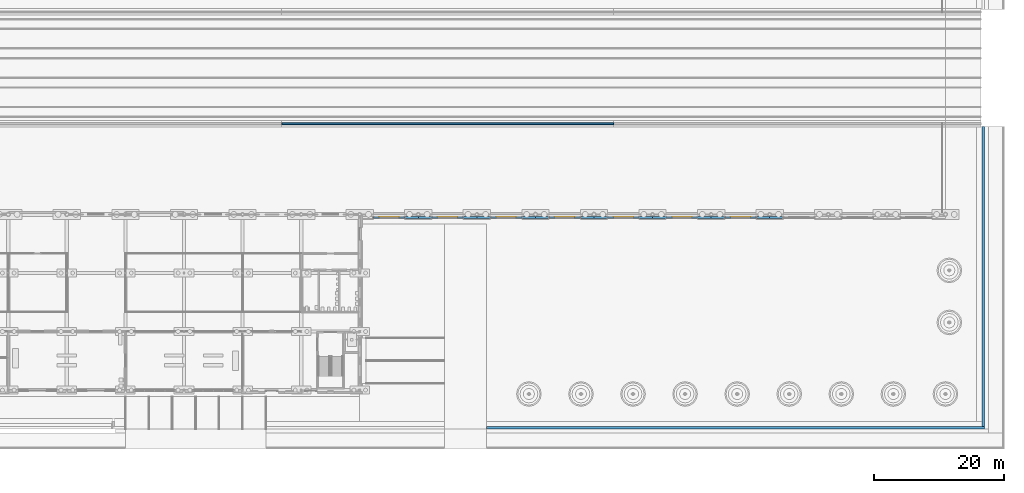
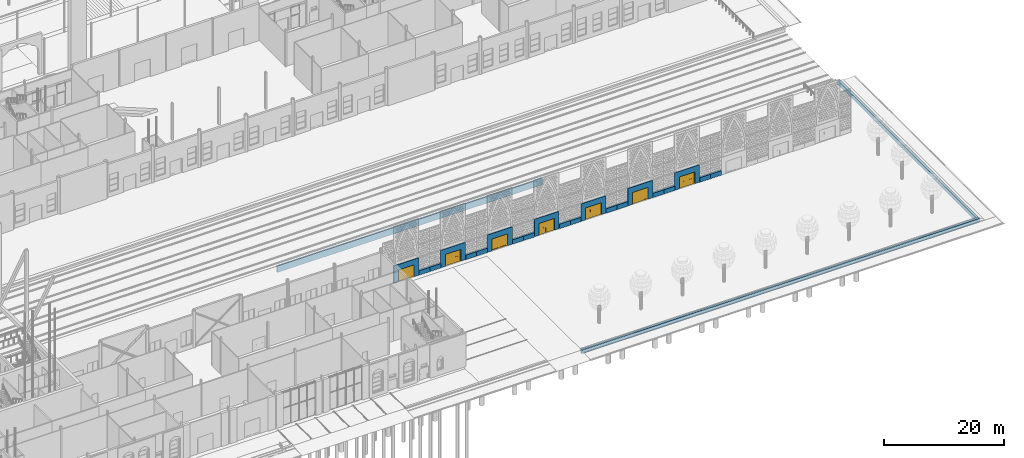
# One storey, part 121 of 250: 24 walls, 7 doors, 7 openings.
"""IFC4 building model written with IfcOpenShell, lengths in metres."""

from ifc_helpers import new_model, si_unit, direction, frame, frame_2d, origin, place, context, subcontext, project, spatial, polyline, rectangle, outline, extrude, material, layer, layer_set, type_object, element, fill, save


model = new_model("IFC4")

# Units and contexts
model_context = context("Model", 3, precision=1e-05, world=origin(), true_north=direction((0.0, 1.0)))
body_context = subcontext(model_context, "Body", "Model", "MODEL_VIEW")
ifc_project = project(units=[si_unit("LENGTHUNIT", "METRE"), si_unit("AREAUNIT", "SQUARE_METRE"), si_unit("VOLUMEUNIT", "CUBIC_METRE"), si_unit("PLANEANGLEUNIT", "RADIAN"), si_unit("MASSUNIT", "GRAM", prefix="KILO")], contexts=[model_context])

# Site, building, storey
site_placement = place(None, origin())
site = spatial("IfcSite", under=ifc_project, at=site_placement, CompositionType="ELEMENT")
building_placement = place(site_placement, origin())
building = spatial("IfcBuilding", under=site, at=building_placement, Name="Baradari Gate Terminus", CompositionType="ELEMENT")
storey_placement = place(building_placement, origin())
storey = spatial("IfcBuildingStorey", under=building, at=storey_placement, Name="L00", CompositionType="ELEMENT", Elevation=0.0)

# Wall, opening, door
ifc_material_1 = material(Name="Steel S355", Category="steel")
ifc_layer_1 = layer(ifc_material_1, 0.25)
ifc_layer_set_1 = layer_set([ifc_layer_1], Name="Steel S355")
wall_type_1 = type_object("IfcWallType", Name="Gate frame wall WG-2 250", PredefinedType="SOLIDWALL", material=ifc_layer_set_1)
wall_1_placement = place(storey_placement, frame((155.10009765625, 35.52001953125, 0.0), z_axis=(0.0, 0.0, 1.0), x_axis=(1.0, 0.0, 0.0)))
wall_1 = element("IfcWall", 1, at=wall_1_placement, inside=storey, type_object=wall_type_1, Name="Gate frame wall SC bay 1", PredefinedType="SOLIDWALL", context=body_context, shape_type="SweptSolid", body=[
    extrude(rectangle(XDim=4.7998046875, YDim=0.25, at=frame_2d((2.39990234375, 0.0))), origin(), (0.0, 0.0, 1.0), 3.52490234375),
])
opening_1_placement = place(wall_1_placement, frame((0.89990234375, 0.0, 0.0)))
opening_1 = element("IfcOpeningElement", 2, at=opening_1_placement, cuts=wall_1, Name="Opening D00-058", PredefinedType="OPENING", context=body_context, shape_type="SweptSolid", body=[
    extrude(rectangle(XDim=3.0, YDim=2.39990234375, at=frame_2d((1.5, 1.199951171875))), frame((0.0, 0.135009765625, 0.0), z_axis=(0.0, -1.0, 0.0), x_axis=(1.0, 0.0, 0.0)), (0.0, 0.0, 1.0), 0.27001953125),
])
ifc_material_2 = material(Name="Steel S235", Category="steel")
door_type = type_object("IfcDoorType", Name="Platform exit door pair, steel DT-8 3000x2400", OperationType="DOUBLE_DOOR_DOUBLE_SWING", PredefinedType="DOOR", material=ifc_material_2)
door_1_placement = place(opening_1_placement, origin())
door_1 = element("IfcDoor", 3, at=door_1_placement, inside=storey, type_object=door_type, Name="Platform exit door pair, steel SC/00g", OperationType="DOUBLE_DOOR_DOUBLE_SWING", OverallHeight=2.4, OverallWidth=3.0, PredefinedType="DOOR", context=body_context, shape_type="SweptSolid", body=[
    extrude(outline(polyline([(0.0, 0.0), (0.070068359375, 0.0), (0.070068359375, 2.329833984375), (2.929931640625, 2.329833984375), (2.929931640625, 0.0), (3.0, 0.0), (3.0, 2.39990234375), (0.0, 2.39990234375), (0.0, 0.0)])), frame((0.0, 0.02490234375, 0.0), z_axis=(0.0, -1.0, 0.0), x_axis=(1.0, 0.0, 0.0)), (0.0, 0.0, 1.0), 0.050048828125),
    extrude(outline(polyline([(0.073974609375, 0.010009765625), (1.4970703125, 0.010009765625), (1.4970703125, 2.325927734375), (0.073974609375, 2.325927734375), (0.073974609375, 0.010009765625)]), holes=[polyline([(0.194091796875, 0.159912109375), (1.376953125, 0.159912109375), (1.376953125, 1.010009765625), (0.194091796875, 1.010009765625), (0.194091796875, 0.159912109375)]), polyline([(0.635498046875, 1.159912109375), (0.935546875, 1.159912109375), (0.935546875, 1.760009765625), (0.635498046875, 1.760009765625), (0.635498046875, 1.159912109375)])]), frame((0.0, 0.017333984375, 0.0), z_axis=(0.0, -1.0, 0.0), x_axis=(1.0, 0.0, 0.0)), (0.0, 0.0, 1.0), 0.034912109375),
    extrude(rectangle(XDim=1.182861328125, YDim=0.85009765625, at=frame_2d((0.78564453125, 0.5849609375))), frame((0.0, 0.008544921875, 0.0), z_axis=(0.0, -1.0, 0.0), x_axis=(1.0, 0.0, 0.0)), (0.0, 0.0, 1.0), 0.017333984375),
    extrude(rectangle(XDim=0.300048828125, YDim=0.60009765625, at=frame_2d((0.78564453125, 1.4599609375))), frame((0.0, 0.005859375, 0.0), z_axis=(0.0, -1.0, 0.0), x_axis=(1.0, 0.0, 0.0)), (0.0, 0.0, 1.0), 0.011962890625),
    extrude(outline(polyline([(1.5029296875, 0.010009765625), (2.926025390625, 0.010009765625), (2.926025390625, 2.325927734375), (1.5029296875, 2.325927734375), (1.5029296875, 0.010009765625)]), holes=[polyline([(1.623046875, 0.159912109375), (2.805908203125, 0.159912109375), (2.805908203125, 1.010009765625), (1.623046875, 1.010009765625), (1.623046875, 0.159912109375)]), polyline([(2.064453125, 1.159912109375), (2.364501953125, 1.159912109375), (2.364501953125, 1.760009765625), (2.064453125, 1.760009765625), (2.064453125, 1.159912109375)])]), frame((0.0, 0.017333984375, 0.0), z_axis=(0.0, -1.0, 0.0), x_axis=(1.0, 0.0, 0.0)), (0.0, 0.0, 1.0), 0.034912109375),
    extrude(rectangle(XDim=1.182861328125, YDim=0.85009765625, at=frame_2d((2.21435546875, 0.5849609375))), frame((0.0, 0.008544921875, 0.0), z_axis=(0.0, -1.0, 0.0), x_axis=(1.0, 0.0, 0.0)), (0.0, 0.0, 1.0), 0.017333984375),
    extrude(rectangle(XDim=0.300048828125, YDim=0.60009765625, at=frame_2d((2.21435546875, 1.4599609375))), frame((0.0, 0.005859375, 0.0), z_axis=(0.0, -1.0, 0.0), x_axis=(1.0, 0.0, 0.0)), (0.0, 0.0, 1.0), 0.011962890625),
])
fill(opening_1, door_1)

wall_2_placement = place(storey_placement, frame((164.10009765625, 35.52001953125, 0.0), z_axis=(0.0, 0.0, 1.0), x_axis=(1.0, 0.0, 0.0)))
wall_2 = element("IfcWall", 4, at=wall_2_placement, inside=storey, type_object=wall_type_1, Name="Gate frame wall SC bay 2", PredefinedType="SOLIDWALL", context=body_context, shape_type="SweptSolid", body=[
    extrude(rectangle(XDim=4.7998046875, YDim=0.25, at=frame_2d((2.39990234375, 0.0))), origin(), (0.0, 0.0, 1.0), 3.52490234375),
])
opening_2_placement = place(wall_2_placement, frame((0.89990234375, 0.0, 0.0)))
opening_2 = element("IfcOpeningElement", 5, at=opening_2_placement, cuts=wall_2, Name="Opening D00-059", PredefinedType="OPENING", context=body_context, shape_type="SweptSolid", body=[
    extrude(rectangle(XDim=3.0, YDim=2.39990234375, at=frame_2d((1.5, 1.199951171875))), frame((0.0, 0.135009765625, 0.0), z_axis=(0.0, -1.0, 0.0), x_axis=(1.0, 0.0, 0.0)), (0.0, 0.0, 1.0), 0.27001953125),
])
door_2_placement = place(opening_2_placement, origin())
door_2 = element("IfcDoor", 6, at=door_2_placement, inside=storey, type_object=door_type, Name="Platform exit door pair, steel SC/01g", OperationType="DOUBLE_DOOR_DOUBLE_SWING", OverallHeight=2.4, OverallWidth=3.0, PredefinedType="DOOR", context=body_context, shape_type="SweptSolid", body=[
    extrude(outline(polyline([(0.0, 0.0), (0.070068359375, 0.0), (0.070068359375, 2.329833984375), (2.929931640625, 2.329833984375), (2.929931640625, 0.0), (3.0, 0.0), (3.0, 2.39990234375), (0.0, 2.39990234375), (0.0, 0.0)])), frame((0.0, 0.02490234375, 0.0), z_axis=(0.0, -1.0, 0.0), x_axis=(1.0, 0.0, 0.0)), (0.0, 0.0, 1.0), 0.050048828125),
    extrude(outline(polyline([(0.073974609375, 0.010009765625), (1.4970703125, 0.010009765625), (1.4970703125, 2.325927734375), (0.073974609375, 2.325927734375), (0.073974609375, 0.010009765625)]), holes=[polyline([(0.194091796875, 0.159912109375), (1.376953125, 0.159912109375), (1.376953125, 1.010009765625), (0.194091796875, 1.010009765625), (0.194091796875, 0.159912109375)]), polyline([(0.635498046875, 1.159912109375), (0.935546875, 1.159912109375), (0.935546875, 1.760009765625), (0.635498046875, 1.760009765625), (0.635498046875, 1.159912109375)])]), frame((0.0, 0.017333984375, 0.0), z_axis=(0.0, -1.0, 0.0), x_axis=(1.0, 0.0, 0.0)), (0.0, 0.0, 1.0), 0.034912109375),
    extrude(rectangle(XDim=1.182861328125, YDim=0.85009765625, at=frame_2d((0.78564453125, 0.5849609375))), frame((0.0, 0.008544921875, 0.0), z_axis=(0.0, -1.0, 0.0), x_axis=(1.0, 0.0, 0.0)), (0.0, 0.0, 1.0), 0.017333984375),
    extrude(rectangle(XDim=0.300048828125, YDim=0.60009765625, at=frame_2d((0.78564453125, 1.4599609375))), frame((0.0, 0.005859375, 0.0), z_axis=(0.0, -1.0, 0.0), x_axis=(1.0, 0.0, 0.0)), (0.0, 0.0, 1.0), 0.011962890625),
    extrude(outline(polyline([(1.5029296875, 0.010009765625), (2.926025390625, 0.010009765625), (2.926025390625, 2.325927734375), (1.5029296875, 2.325927734375), (1.5029296875, 0.010009765625)]), holes=[polyline([(1.623046875, 0.159912109375), (2.805908203125, 0.159912109375), (2.805908203125, 1.010009765625), (1.623046875, 1.010009765625), (1.623046875, 0.159912109375)]), polyline([(2.064453125, 1.159912109375), (2.364501953125, 1.159912109375), (2.364501953125, 1.760009765625), (2.064453125, 1.760009765625), (2.064453125, 1.159912109375)])]), frame((0.0, 0.017333984375, 0.0), z_axis=(0.0, -1.0, 0.0), x_axis=(1.0, 0.0, 0.0)), (0.0, 0.0, 1.0), 0.034912109375),
    extrude(rectangle(XDim=1.182861328125, YDim=0.85009765625, at=frame_2d((2.21435546875, 0.5849609375))), frame((0.0, 0.008544921875, 0.0), z_axis=(0.0, -1.0, 0.0), x_axis=(1.0, 0.0, 0.0)), (0.0, 0.0, 1.0), 0.017333984375),
    extrude(rectangle(XDim=0.300048828125, YDim=0.60009765625, at=frame_2d((2.21435546875, 1.4599609375))), frame((0.0, 0.005859375, 0.0), z_axis=(0.0, -1.0, 0.0), x_axis=(1.0, 0.0, 0.0)), (0.0, 0.0, 1.0), 0.011962890625),
])
fill(opening_2, door_2)

wall_3_placement = place(storey_placement, frame((173.10009765625, 35.52001953125, 0.0), z_axis=(0.0, 0.0, 1.0), x_axis=(1.0, 0.0, 0.0)))
wall_3 = element("IfcWall", 7, at=wall_3_placement, inside=storey, type_object=wall_type_1, Name="Gate frame wall SC bay 3", PredefinedType="SOLIDWALL", context=body_context, shape_type="SweptSolid", body=[
    extrude(rectangle(XDim=4.7998046875, YDim=0.25, at=frame_2d((2.39990234375, 0.0))), origin(), (0.0, 0.0, 1.0), 3.52490234375),
])
opening_3_placement = place(wall_3_placement, frame((0.89990234375, 0.0, 0.0)))
opening_3 = element("IfcOpeningElement", 8, at=opening_3_placement, cuts=wall_3, Name="Opening D00-060", PredefinedType="OPENING", context=body_context, shape_type="SweptSolid", body=[
    extrude(rectangle(XDim=3.0, YDim=2.39990234375, at=frame_2d((1.5, 1.199951171875))), frame((0.0, 0.135009765625, 0.0), z_axis=(0.0, -1.0, 0.0), x_axis=(1.0, 0.0, 0.0)), (0.0, 0.0, 1.0), 0.27001953125),
])
door_3_placement = place(opening_3_placement, origin())
door_3 = element("IfcDoor", 9, at=door_3_placement, inside=storey, type_object=door_type, Name="Platform exit door pair, steel SC/02g", OperationType="DOUBLE_DOOR_DOUBLE_SWING", OverallHeight=2.4, OverallWidth=3.0, PredefinedType="DOOR", context=body_context, shape_type="SweptSolid", body=[
    extrude(outline(polyline([(0.0, 0.0), (0.070068359375, 0.0), (0.070068359375, 2.329833984375), (2.929931640625, 2.329833984375), (2.929931640625, 0.0), (3.0, 0.0), (3.0, 2.39990234375), (0.0, 2.39990234375), (0.0, 0.0)])), frame((0.0, 0.02490234375, 0.0), z_axis=(0.0, -1.0, 0.0), x_axis=(1.0, 0.0, 0.0)), (0.0, 0.0, 1.0), 0.050048828125),
    extrude(outline(polyline([(0.073974609375, 0.010009765625), (1.4970703125, 0.010009765625), (1.4970703125, 2.325927734375), (0.073974609375, 2.325927734375), (0.073974609375, 0.010009765625)]), holes=[polyline([(0.194091796875, 0.159912109375), (1.376953125, 0.159912109375), (1.376953125, 1.010009765625), (0.194091796875, 1.010009765625), (0.194091796875, 0.159912109375)]), polyline([(0.635498046875, 1.159912109375), (0.935546875, 1.159912109375), (0.935546875, 1.760009765625), (0.635498046875, 1.760009765625), (0.635498046875, 1.159912109375)])]), frame((0.0, 0.017333984375, 0.0), z_axis=(0.0, -1.0, 0.0), x_axis=(1.0, 0.0, 0.0)), (0.0, 0.0, 1.0), 0.034912109375),
    extrude(rectangle(XDim=1.182861328125, YDim=0.85009765625, at=frame_2d((0.78564453125, 0.5849609375))), frame((0.0, 0.008544921875, 0.0), z_axis=(0.0, -1.0, 0.0), x_axis=(1.0, 0.0, 0.0)), (0.0, 0.0, 1.0), 0.017333984375),
    extrude(rectangle(XDim=0.300048828125, YDim=0.60009765625, at=frame_2d((0.78564453125, 1.4599609375))), frame((0.0, 0.005859375, 0.0), z_axis=(0.0, -1.0, 0.0), x_axis=(1.0, 0.0, 0.0)), (0.0, 0.0, 1.0), 0.011962890625),
    extrude(outline(polyline([(1.5029296875, 0.010009765625), (2.926025390625, 0.010009765625), (2.926025390625, 2.325927734375), (1.5029296875, 2.325927734375), (1.5029296875, 0.010009765625)]), holes=[polyline([(1.623046875, 0.159912109375), (2.805908203125, 0.159912109375), (2.805908203125, 1.010009765625), (1.623046875, 1.010009765625), (1.623046875, 0.159912109375)]), polyline([(2.064453125, 1.159912109375), (2.364501953125, 1.159912109375), (2.364501953125, 1.760009765625), (2.064453125, 1.760009765625), (2.064453125, 1.159912109375)])]), frame((0.0, 0.017333984375, 0.0), z_axis=(0.0, -1.0, 0.0), x_axis=(1.0, 0.0, 0.0)), (0.0, 0.0, 1.0), 0.034912109375),
    extrude(rectangle(XDim=1.182861328125, YDim=0.85009765625, at=frame_2d((2.21435546875, 0.5849609375))), frame((0.0, 0.008544921875, 0.0), z_axis=(0.0, -1.0, 0.0), x_axis=(1.0, 0.0, 0.0)), (0.0, 0.0, 1.0), 0.017333984375),
    extrude(rectangle(XDim=0.300048828125, YDim=0.60009765625, at=frame_2d((2.21435546875, 1.4599609375))), frame((0.0, 0.005859375, 0.0), z_axis=(0.0, -1.0, 0.0), x_axis=(1.0, 0.0, 0.0)), (0.0, 0.0, 1.0), 0.011962890625),
])
fill(opening_3, door_3)

wall_4_placement = place(storey_placement, frame((182.10009765625, 35.52001953125, 0.0), z_axis=(0.0, 0.0, 1.0), x_axis=(1.0, 0.0, 0.0)))
wall_4 = element("IfcWall", 10, at=wall_4_placement, inside=storey, type_object=wall_type_1, Name="Gate frame wall SC bay 4", PredefinedType="SOLIDWALL", context=body_context, shape_type="SweptSolid", body=[
    extrude(rectangle(XDim=4.7998046875, YDim=0.25, at=frame_2d((2.39990234375, 0.0))), origin(), (0.0, 0.0, 1.0), 3.52490234375),
])
opening_4_placement = place(wall_4_placement, frame((0.89990234375, 0.0, 0.0)))
opening_4 = element("IfcOpeningElement", 11, at=opening_4_placement, cuts=wall_4, Name="Opening D00-061", PredefinedType="OPENING", context=body_context, shape_type="SweptSolid", body=[
    extrude(rectangle(XDim=3.0, YDim=2.39990234375, at=frame_2d((1.5, 1.199951171875))), frame((0.0, 0.135009765625, 0.0), z_axis=(0.0, -1.0, 0.0), x_axis=(1.0, 0.0, 0.0)), (0.0, 0.0, 1.0), 0.27001953125),
])
door_4_placement = place(opening_4_placement, origin())
door_4 = element("IfcDoor", 12, at=door_4_placement, inside=storey, type_object=door_type, Name="Platform exit door pair, steel SC/03g", OperationType="DOUBLE_DOOR_DOUBLE_SWING", OverallHeight=2.4, OverallWidth=3.0, PredefinedType="DOOR", context=body_context, shape_type="SweptSolid", body=[
    extrude(outline(polyline([(0.0, 0.0), (0.070068359375, 0.0), (0.070068359375, 2.329833984375), (2.929931640625, 2.329833984375), (2.929931640625, 0.0), (3.0, 0.0), (3.0, 2.39990234375), (0.0, 2.39990234375), (0.0, 0.0)])), frame((0.0, 0.02490234375, 0.0), z_axis=(0.0, -1.0, 0.0), x_axis=(1.0, 0.0, 0.0)), (0.0, 0.0, 1.0), 0.050048828125),
    extrude(outline(polyline([(0.073974609375, 0.010009765625), (1.4970703125, 0.010009765625), (1.4970703125, 2.325927734375), (0.073974609375, 2.325927734375), (0.073974609375, 0.010009765625)]), holes=[polyline([(0.194091796875, 0.159912109375), (1.376953125, 0.159912109375), (1.376953125, 1.010009765625), (0.194091796875, 1.010009765625), (0.194091796875, 0.159912109375)]), polyline([(0.635498046875, 1.159912109375), (0.935546875, 1.159912109375), (0.935546875, 1.760009765625), (0.635498046875, 1.760009765625), (0.635498046875, 1.159912109375)])]), frame((0.0, 0.017333984375, 0.0), z_axis=(0.0, -1.0, 0.0), x_axis=(1.0, 0.0, 0.0)), (0.0, 0.0, 1.0), 0.034912109375),
    extrude(rectangle(XDim=1.182861328125, YDim=0.85009765625, at=frame_2d((0.78564453125, 0.5849609375))), frame((0.0, 0.008544921875, 0.0), z_axis=(0.0, -1.0, 0.0), x_axis=(1.0, 0.0, 0.0)), (0.0, 0.0, 1.0), 0.017333984375),
    extrude(rectangle(XDim=0.300048828125, YDim=0.60009765625, at=frame_2d((0.78564453125, 1.4599609375))), frame((0.0, 0.005859375, 0.0), z_axis=(0.0, -1.0, 0.0), x_axis=(1.0, 0.0, 0.0)), (0.0, 0.0, 1.0), 0.011962890625),
    extrude(outline(polyline([(1.5029296875, 0.010009765625), (2.926025390625, 0.010009765625), (2.926025390625, 2.325927734375), (1.5029296875, 2.325927734375), (1.5029296875, 0.010009765625)]), holes=[polyline([(1.623046875, 0.159912109375), (2.805908203125, 0.159912109375), (2.805908203125, 1.010009765625), (1.623046875, 1.010009765625), (1.623046875, 0.159912109375)]), polyline([(2.064453125, 1.159912109375), (2.364501953125, 1.159912109375), (2.364501953125, 1.760009765625), (2.064453125, 1.760009765625), (2.064453125, 1.159912109375)])]), frame((0.0, 0.017333984375, 0.0), z_axis=(0.0, -1.0, 0.0), x_axis=(1.0, 0.0, 0.0)), (0.0, 0.0, 1.0), 0.034912109375),
    extrude(rectangle(XDim=1.182861328125, YDim=0.85009765625, at=frame_2d((2.21435546875, 0.5849609375))), frame((0.0, 0.008544921875, 0.0), z_axis=(0.0, -1.0, 0.0), x_axis=(1.0, 0.0, 0.0)), (0.0, 0.0, 1.0), 0.017333984375),
    extrude(rectangle(XDim=0.300048828125, YDim=0.60009765625, at=frame_2d((2.21435546875, 1.4599609375))), frame((0.0, 0.005859375, 0.0), z_axis=(0.0, -1.0, 0.0), x_axis=(1.0, 0.0, 0.0)), (0.0, 0.0, 1.0), 0.011962890625),
])
fill(opening_4, door_4)

wall_5_placement = place(storey_placement, frame((191.10009765625, 35.52001953125, 0.0), z_axis=(0.0, 0.0, 1.0), x_axis=(1.0, 0.0, 0.0)))
wall_5 = element("IfcWall", 13, at=wall_5_placement, inside=storey, type_object=wall_type_1, Name="Gate frame wall SC bay 5", PredefinedType="SOLIDWALL", context=body_context, shape_type="SweptSolid", body=[
    extrude(rectangle(XDim=4.7998046875, YDim=0.25, at=frame_2d((2.39990234375, 0.0))), origin(), (0.0, 0.0, 1.0), 3.52490234375),
])
opening_5_placement = place(wall_5_placement, frame((0.89990234375, 0.0, 0.0)))
opening_5 = element("IfcOpeningElement", 14, at=opening_5_placement, cuts=wall_5, Name="Opening D00-062", PredefinedType="OPENING", context=body_context, shape_type="SweptSolid", body=[
    extrude(rectangle(XDim=3.0, YDim=2.39990234375, at=frame_2d((1.5, 1.199951171875))), frame((0.0, 0.135009765625, 0.0), z_axis=(0.0, -1.0, 0.0), x_axis=(1.0, 0.0, 0.0)), (0.0, 0.0, 1.0), 0.27001953125),
])
door_5_placement = place(opening_5_placement, origin())
door_5 = element("IfcDoor", 15, at=door_5_placement, inside=storey, type_object=door_type, Name="Platform exit door pair, steel SC/04g", OperationType="DOUBLE_DOOR_DOUBLE_SWING", OverallHeight=2.4, OverallWidth=3.0, PredefinedType="DOOR", context=body_context, shape_type="SweptSolid", body=[
    extrude(outline(polyline([(0.0, 0.0), (0.070068359375, 0.0), (0.070068359375, 2.329833984375), (2.929931640625, 2.329833984375), (2.929931640625, 0.0), (3.0, 0.0), (3.0, 2.39990234375), (0.0, 2.39990234375), (0.0, 0.0)])), frame((0.0, 0.02490234375, 0.0), z_axis=(0.0, -1.0, 0.0), x_axis=(1.0, 0.0, 0.0)), (0.0, 0.0, 1.0), 0.050048828125),
    extrude(outline(polyline([(0.073974609375, 0.010009765625), (1.4970703125, 0.010009765625), (1.4970703125, 2.325927734375), (0.073974609375, 2.325927734375), (0.073974609375, 0.010009765625)]), holes=[polyline([(0.194091796875, 0.159912109375), (1.376953125, 0.159912109375), (1.376953125, 1.010009765625), (0.194091796875, 1.010009765625), (0.194091796875, 0.159912109375)]), polyline([(0.635498046875, 1.159912109375), (0.935546875, 1.159912109375), (0.935546875, 1.760009765625), (0.635498046875, 1.760009765625), (0.635498046875, 1.159912109375)])]), frame((0.0, 0.017333984375, 0.0), z_axis=(0.0, -1.0, 0.0), x_axis=(1.0, 0.0, 0.0)), (0.0, 0.0, 1.0), 0.034912109375),
    extrude(rectangle(XDim=1.182861328125, YDim=0.85009765625, at=frame_2d((0.78564453125, 0.5849609375))), frame((0.0, 0.008544921875, 0.0), z_axis=(0.0, -1.0, 0.0), x_axis=(1.0, 0.0, 0.0)), (0.0, 0.0, 1.0), 0.017333984375),
    extrude(rectangle(XDim=0.300048828125, YDim=0.60009765625, at=frame_2d((0.78564453125, 1.4599609375))), frame((0.0, 0.005859375, 0.0), z_axis=(0.0, -1.0, 0.0), x_axis=(1.0, 0.0, 0.0)), (0.0, 0.0, 1.0), 0.011962890625),
    extrude(outline(polyline([(1.5029296875, 0.010009765625), (2.926025390625, 0.010009765625), (2.926025390625, 2.325927734375), (1.5029296875, 2.325927734375), (1.5029296875, 0.010009765625)]), holes=[polyline([(1.623046875, 0.159912109375), (2.805908203125, 0.159912109375), (2.805908203125, 1.010009765625), (1.623046875, 1.010009765625), (1.623046875, 0.159912109375)]), polyline([(2.064453125, 1.159912109375), (2.364501953125, 1.159912109375), (2.364501953125, 1.760009765625), (2.064453125, 1.760009765625), (2.064453125, 1.159912109375)])]), frame((0.0, 0.017333984375, 0.0), z_axis=(0.0, -1.0, 0.0), x_axis=(1.0, 0.0, 0.0)), (0.0, 0.0, 1.0), 0.034912109375),
    extrude(rectangle(XDim=1.182861328125, YDim=0.85009765625, at=frame_2d((2.21435546875, 0.5849609375))), frame((0.0, 0.008544921875, 0.0), z_axis=(0.0, -1.0, 0.0), x_axis=(1.0, 0.0, 0.0)), (0.0, 0.0, 1.0), 0.017333984375),
    extrude(rectangle(XDim=0.300048828125, YDim=0.60009765625, at=frame_2d((2.21435546875, 1.4599609375))), frame((0.0, 0.005859375, 0.0), z_axis=(0.0, -1.0, 0.0), x_axis=(1.0, 0.0, 0.0)), (0.0, 0.0, 1.0), 0.011962890625),
])
fill(opening_5, door_5)

wall_6_placement = place(storey_placement, frame((200.10009765625, 35.52001953125, 0.0), z_axis=(0.0, 0.0, 1.0), x_axis=(1.0, 0.0, 0.0)))
wall_6 = element("IfcWall", 16, at=wall_6_placement, inside=storey, type_object=wall_type_1, Name="Gate frame wall SC bay 6", PredefinedType="SOLIDWALL", context=body_context, shape_type="SweptSolid", body=[
    extrude(rectangle(XDim=4.7998046875, YDim=0.25, at=frame_2d((2.39990234375, 0.0))), origin(), (0.0, 0.0, 1.0), 3.52490234375),
])
opening_6_placement = place(wall_6_placement, frame((0.89990234375, 0.0, 0.0)))
opening_6 = element("IfcOpeningElement", 17, at=opening_6_placement, cuts=wall_6, Name="Opening D00-063", PredefinedType="OPENING", context=body_context, shape_type="SweptSolid", body=[
    extrude(rectangle(XDim=3.0, YDim=2.39990234375, at=frame_2d((1.5, 1.199951171875))), frame((0.0, 0.135009765625, 0.0), z_axis=(0.0, -1.0, 0.0), x_axis=(1.0, 0.0, 0.0)), (0.0, 0.0, 1.0), 0.27001953125),
])
door_6_placement = place(opening_6_placement, origin())
door_6 = element("IfcDoor", 18, at=door_6_placement, inside=storey, type_object=door_type, Name="Platform exit door pair, steel SC/05g", OperationType="DOUBLE_DOOR_DOUBLE_SWING", OverallHeight=2.4, OverallWidth=3.0, PredefinedType="DOOR", context=body_context, shape_type="SweptSolid", body=[
    extrude(outline(polyline([(0.0, 0.0), (0.070068359375, 0.0), (0.070068359375, 2.329833984375), (2.929931640625, 2.329833984375), (2.929931640625, 0.0), (3.0, 0.0), (3.0, 2.39990234375), (0.0, 2.39990234375), (0.0, 0.0)])), frame((0.0, 0.02490234375, 0.0), z_axis=(0.0, -1.0, 0.0), x_axis=(1.0, 0.0, 0.0)), (0.0, 0.0, 1.0), 0.050048828125),
    extrude(outline(polyline([(0.073974609375, 0.010009765625), (1.4970703125, 0.010009765625), (1.4970703125, 2.325927734375), (0.073974609375, 2.325927734375), (0.073974609375, 0.010009765625)]), holes=[polyline([(0.194091796875, 0.159912109375), (1.376953125, 0.159912109375), (1.376953125, 1.010009765625), (0.194091796875, 1.010009765625), (0.194091796875, 0.159912109375)]), polyline([(0.635498046875, 1.159912109375), (0.935546875, 1.159912109375), (0.935546875, 1.760009765625), (0.635498046875, 1.760009765625), (0.635498046875, 1.159912109375)])]), frame((0.0, 0.017333984375, 0.0), z_axis=(0.0, -1.0, 0.0), x_axis=(1.0, 0.0, 0.0)), (0.0, 0.0, 1.0), 0.034912109375),
    extrude(rectangle(XDim=1.182861328125, YDim=0.85009765625, at=frame_2d((0.78564453125, 0.5849609375))), frame((0.0, 0.008544921875, 0.0), z_axis=(0.0, -1.0, 0.0), x_axis=(1.0, 0.0, 0.0)), (0.0, 0.0, 1.0), 0.017333984375),
    extrude(rectangle(XDim=0.300048828125, YDim=0.60009765625, at=frame_2d((0.78564453125, 1.4599609375))), frame((0.0, 0.005859375, 0.0), z_axis=(0.0, -1.0, 0.0), x_axis=(1.0, 0.0, 0.0)), (0.0, 0.0, 1.0), 0.011962890625),
    extrude(outline(polyline([(1.5029296875, 0.010009765625), (2.926025390625, 0.010009765625), (2.926025390625, 2.325927734375), (1.5029296875, 2.325927734375), (1.5029296875, 0.010009765625)]), holes=[polyline([(1.623046875, 0.159912109375), (2.805908203125, 0.159912109375), (2.805908203125, 1.010009765625), (1.623046875, 1.010009765625), (1.623046875, 0.159912109375)]), polyline([(2.064453125, 1.159912109375), (2.364501953125, 1.159912109375), (2.364501953125, 1.760009765625), (2.064453125, 1.760009765625), (2.064453125, 1.159912109375)])]), frame((0.0, 0.017333984375, 0.0), z_axis=(0.0, -1.0, 0.0), x_axis=(1.0, 0.0, 0.0)), (0.0, 0.0, 1.0), 0.034912109375),
    extrude(rectangle(XDim=1.182861328125, YDim=0.85009765625, at=frame_2d((2.21435546875, 0.5849609375))), frame((0.0, 0.008544921875, 0.0), z_axis=(0.0, -1.0, 0.0), x_axis=(1.0, 0.0, 0.0)), (0.0, 0.0, 1.0), 0.017333984375),
    extrude(rectangle(XDim=0.300048828125, YDim=0.60009765625, at=frame_2d((2.21435546875, 1.4599609375))), frame((0.0, 0.005859375, 0.0), z_axis=(0.0, -1.0, 0.0), x_axis=(1.0, 0.0, 0.0)), (0.0, 0.0, 1.0), 0.011962890625),
])
fill(opening_6, door_6)

wall_7_placement = place(storey_placement, frame((209.10009765625, 35.52001953125, 0.0), z_axis=(0.0, 0.0, 1.0), x_axis=(1.0, 0.0, 0.0)))
wall_7 = element("IfcWall", 19, at=wall_7_placement, inside=storey, type_object=wall_type_1, Name="Gate frame wall SC bay 7", PredefinedType="SOLIDWALL", context=body_context, shape_type="SweptSolid", body=[
    extrude(rectangle(XDim=4.7998046875, YDim=0.25, at=frame_2d((2.39990234375, 0.0))), origin(), (0.0, 0.0, 1.0), 3.52490234375),
])
opening_7_placement = place(wall_7_placement, frame((0.89990234375, 0.0, 0.0)))
opening_7 = element("IfcOpeningElement", 20, at=opening_7_placement, cuts=wall_7, Name="Opening D00-064", PredefinedType="OPENING", context=body_context, shape_type="SweptSolid", body=[
    extrude(rectangle(XDim=3.0, YDim=2.39990234375, at=frame_2d((1.5, 1.199951171875))), frame((0.0, 0.135009765625, 0.0), z_axis=(0.0, -1.0, 0.0), x_axis=(1.0, 0.0, 0.0)), (0.0, 0.0, 1.0), 0.27001953125),
])
door_7_placement = place(opening_7_placement, origin())
door_7 = element("IfcDoor", 21, at=door_7_placement, inside=storey, type_object=door_type, Name="Platform exit door pair, steel SC/06g", OperationType="DOUBLE_DOOR_DOUBLE_SWING", OverallHeight=2.4, OverallWidth=3.0, PredefinedType="DOOR", context=body_context, shape_type="SweptSolid", body=[
    extrude(outline(polyline([(0.0, 0.0), (0.070068359375, 0.0), (0.070068359375, 2.329833984375), (2.929931640625, 2.329833984375), (2.929931640625, 0.0), (3.0, 0.0), (3.0, 2.39990234375), (0.0, 2.39990234375), (0.0, 0.0)])), frame((0.0, 0.02490234375, 0.0), z_axis=(0.0, -1.0, 0.0), x_axis=(1.0, 0.0, 0.0)), (0.0, 0.0, 1.0), 0.050048828125),
    extrude(outline(polyline([(0.073974609375, 0.010009765625), (1.4970703125, 0.010009765625), (1.4970703125, 2.325927734375), (0.073974609375, 2.325927734375), (0.073974609375, 0.010009765625)]), holes=[polyline([(0.194091796875, 0.159912109375), (1.376953125, 0.159912109375), (1.376953125, 1.010009765625), (0.194091796875, 1.010009765625), (0.194091796875, 0.159912109375)]), polyline([(0.635498046875, 1.159912109375), (0.935546875, 1.159912109375), (0.935546875, 1.760009765625), (0.635498046875, 1.760009765625), (0.635498046875, 1.159912109375)])]), frame((0.0, 0.017333984375, 0.0), z_axis=(0.0, -1.0, 0.0), x_axis=(1.0, 0.0, 0.0)), (0.0, 0.0, 1.0), 0.034912109375),
    extrude(rectangle(XDim=1.182861328125, YDim=0.85009765625, at=frame_2d((0.78564453125, 0.5849609375))), frame((0.0, 0.008544921875, 0.0), z_axis=(0.0, -1.0, 0.0), x_axis=(1.0, 0.0, 0.0)), (0.0, 0.0, 1.0), 0.017333984375),
    extrude(rectangle(XDim=0.300048828125, YDim=0.60009765625, at=frame_2d((0.78564453125, 1.4599609375))), frame((0.0, 0.005859375, 0.0), z_axis=(0.0, -1.0, 0.0), x_axis=(1.0, 0.0, 0.0)), (0.0, 0.0, 1.0), 0.011962890625),
    extrude(outline(polyline([(1.5029296875, 0.010009765625), (2.926025390625, 0.010009765625), (2.926025390625, 2.325927734375), (1.5029296875, 2.325927734375), (1.5029296875, 0.010009765625)]), holes=[polyline([(1.623046875, 0.159912109375), (2.805908203125, 0.159912109375), (2.805908203125, 1.010009765625), (1.623046875, 1.010009765625), (1.623046875, 0.159912109375)]), polyline([(2.064453125, 1.159912109375), (2.364501953125, 1.159912109375), (2.364501953125, 1.760009765625), (2.064453125, 1.760009765625), (2.064453125, 1.159912109375)])]), frame((0.0, 0.017333984375, 0.0), z_axis=(0.0, -1.0, 0.0), x_axis=(1.0, 0.0, 0.0)), (0.0, 0.0, 1.0), 0.034912109375),
    extrude(rectangle(XDim=1.182861328125, YDim=0.85009765625, at=frame_2d((2.21435546875, 0.5849609375))), frame((0.0, 0.008544921875, 0.0), z_axis=(0.0, -1.0, 0.0), x_axis=(1.0, 0.0, 0.0)), (0.0, 0.0, 1.0), 0.017333984375),
    extrude(rectangle(XDim=0.300048828125, YDim=0.60009765625, at=frame_2d((2.21435546875, 1.4599609375))), frame((0.0, 0.005859375, 0.0), z_axis=(0.0, -1.0, 0.0), x_axis=(1.0, 0.0, 0.0)), (0.0, 0.0, 1.0), 0.011962890625),
])
fill(opening_7, door_7)

# Walls
ifc_material_3 = material(Name="Concrete C40/50 precast", Category="concrete")
ifc_layer_2 = layer(ifc_material_3, 0.3)
ifc_material_4 = material(Name="Reconstituted stone", Category="masonry")
ifc_layer_3 = layer(ifc_material_4, 0.05)
ifc_layer_set_2 = layer_set([ifc_layer_2, ifc_layer_3], Name="Concrete C40/50 precast")
wall_type_2 = type_object("IfcWallType", Name="Jali screen base wall WJ-1 350", PredefinedType="SOLIDWALL", material=ifc_layer_set_2)
for number, where, z_axis, x_axis, name in (
    (22, (159.89990234375, 35.52001953125, 0.0), (0.0, 0.0, 1.0), (1.0, 0.0, 0.0), "Jali screen base wall SC bay 1"),
    (23, (162.0, 35.52001953125, 0.0), (0.0, 0.0, 1.0), (1.0, 0.0, 0.0), "Jali screen base wall SC bay 2"),
    (24, (168.89990234375, 35.52001953125, 0.0), (0.0, 0.0, 1.0), (1.0, 0.0, 0.0), "Jali screen base wall SC bay 2"),
    (25, (171.0, 35.52001953125, 0.0), (0.0, 0.0, 1.0), (1.0, 0.0, 0.0), "Jali screen base wall SC bay 3"),
    (26, (177.89990234375, 35.52001953125, 0.0), (0.0, 0.0, 1.0), (1.0, 0.0, 0.0), "Jali screen base wall SC bay 3"),
    (27, (180.0, 35.52001953125, 0.0), (0.0, 0.0, 1.0), (1.0, 0.0, 0.0), "Jali screen base wall SC bay 4"),
    (28, (186.89990234375, 35.52001953125, 0.0), (0.0, 0.0, 1.0), (1.0, 0.0, 0.0), "Jali screen base wall SC bay 4"),
    (29, (189.0, 35.52001953125, 0.0), (0.0, 0.0, 1.0), (1.0, 0.0, 0.0), "Jali screen base wall SC bay 5"),
    (30, (195.89990234375, 35.52001953125, 0.0), (0.0, 0.0, 1.0), (1.0, 0.0, 0.0), "Jali screen base wall SC bay 5"),
    (31, (198.0, 35.52001953125, 0.0), (0.0, 0.0, 1.0), (1.0, 0.0, 0.0), "Jali screen base wall SC bay 6"),
    (32, (204.89990234375, 35.52001953125, 0.0), (0.0, 0.0, 1.0), (1.0, 0.0, 0.0), "Jali screen base wall SC bay 6"),
    (33, (207.0, 35.52001953125, 0.0), (0.0, 0.0, 1.0), (1.0, 0.0, 0.0), "Jali screen base wall SC bay 7"),
    (34, (213.89990234375, 35.52001953125, 0.0), (0.0, 0.0, 1.0), (1.0, 0.0, 0.0), "Jali screen base wall SC bay 7"),
    (35, (216.0, 35.52001953125, 0.0), (0.0, 0.0, 1.0), (1.0, 0.0, 0.0), "Jali screen base wall SC bay 8"),
):
    element("IfcWall", number, at=place(storey_placement, frame(where, z_axis=z_axis, x_axis=x_axis)), inside=storey, type_object=wall_type_2, Name=name, PredefinedType="SOLIDWALL", context=body_context, shape_type="SweptSolid", body=[
        extrude(rectangle(XDim=2.10009765625, YDim=0.35009765625, at=frame_2d((1.050048828125, 0.0))), origin(), (0.0, 0.0, 1.0), 0.89990234375),
    ])
ifc_material_5 = material(Name="Concrete C40/50", Category="concrete")
ifc_layer_4 = layer(ifc_material_5, 0.300048828125)
ifc_layer_set_3 = layer_set([ifc_layer_4], Name="Concrete C40/50")
wall_type_3 = type_object("IfcWallType", Name="Platform edge wall CWL06 300", PredefinedType="SOLIDWALL", material=ifc_layer_set_3)
wall_8_placement = place(storey_placement, frame((141.0, 49.89990234375, -1.572021484375), z_axis=(0.0, 0.0, 1.0), x_axis=(1.0, 0.0, 0.0)))
element("IfcWall", 36, at=wall_8_placement, inside=storey, type_object=wall_type_3, Name="Platform 1 edge wall 3", PredefinedType="SOLIDWALL", context=body_context, shape_type="SweptSolid", body=[
    extrude(rectangle(XDim=51.0, YDim=0.300048828125, at=frame_2d((25.5, 0.0))), origin(), (0.0, 0.0, 1.0), 1.322021484375),
])
ifc_material_6 = material(Name="Sandstone masonry", Category="masonry")
ifc_layer_5 = layer(ifc_material_6, 0.39990234375)
ifc_layer_set_4 = layer_set([ifc_layer_5], Name="Sandstone masonry")
wall_type_4 = type_object("IfcWallType", Name="Plinth retaining wall KW-1 400", PredefinedType="SOLIDWALL", material=ifc_layer_set_4)
wall_9_placement = place(storey_placement, frame((172.5, 3.199951171875, -0.800048828125), z_axis=(0.0, 0.0, 1.0), x_axis=(1.0, 0.0, 0.0)))
element("IfcWall", 37, at=wall_9_placement, inside=storey, type_object=wall_type_4, Name="Plinth retaining wall S4", PredefinedType="SOLIDWALL", context=body_context, shape_type="SweptSolid", body=[
    extrude(rectangle(XDim=76.5, YDim=0.39990234375, at=frame_2d((38.25, 0.0))), origin(), (0.0, 0.0, 1.0), 0.800048828125),
])
wall_10_placement = place(storey_placement, frame((248.800048828125, 3.39990234375, -0.800048828125), z_axis=(0.0, 0.0, 1.0), x_axis=(0.0, 1.0, 0.0)))
element("IfcWall", 38, at=wall_10_placement, inside=storey, type_object=wall_type_4, Name="Plinth retaining wall E1", PredefinedType="SOLIDWALL", context=body_context, shape_type="SweptSolid", body=[
    extrude(rectangle(XDim=46.10009765625, YDim=0.39990234375, at=frame_2d((23.050048828125, 0.0))), origin(), (0.0, 0.0, 1.0), 0.800048828125),
])

save(model, "model.ifc")
